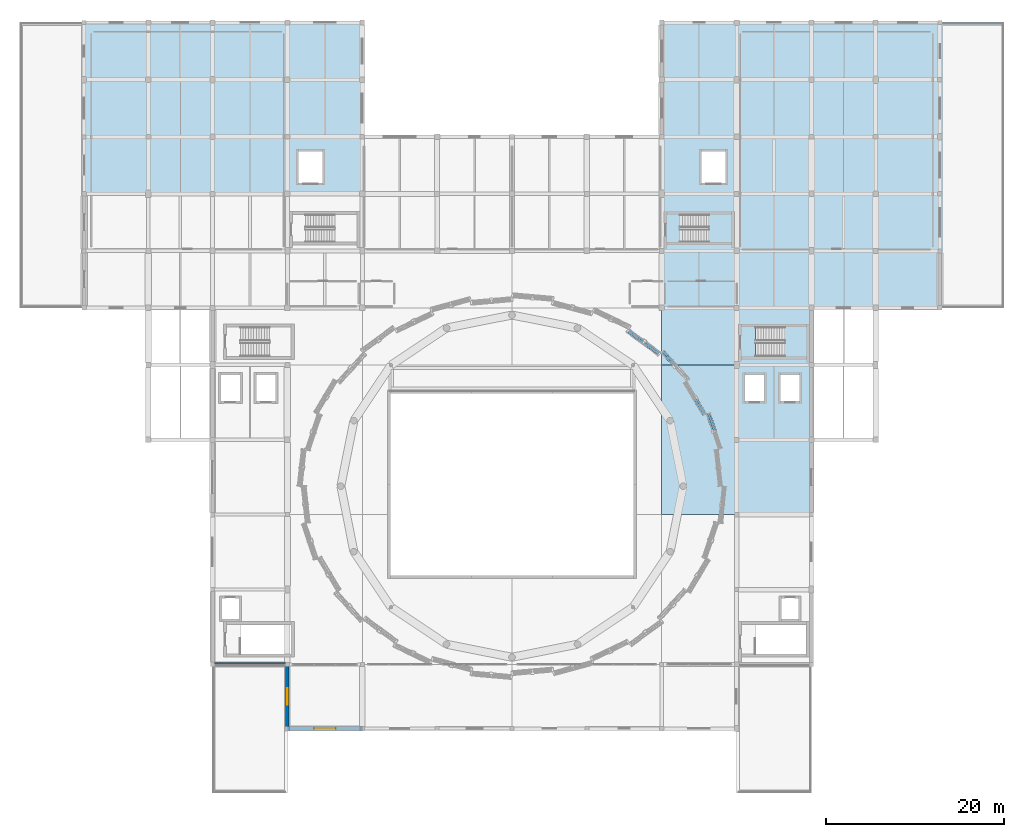
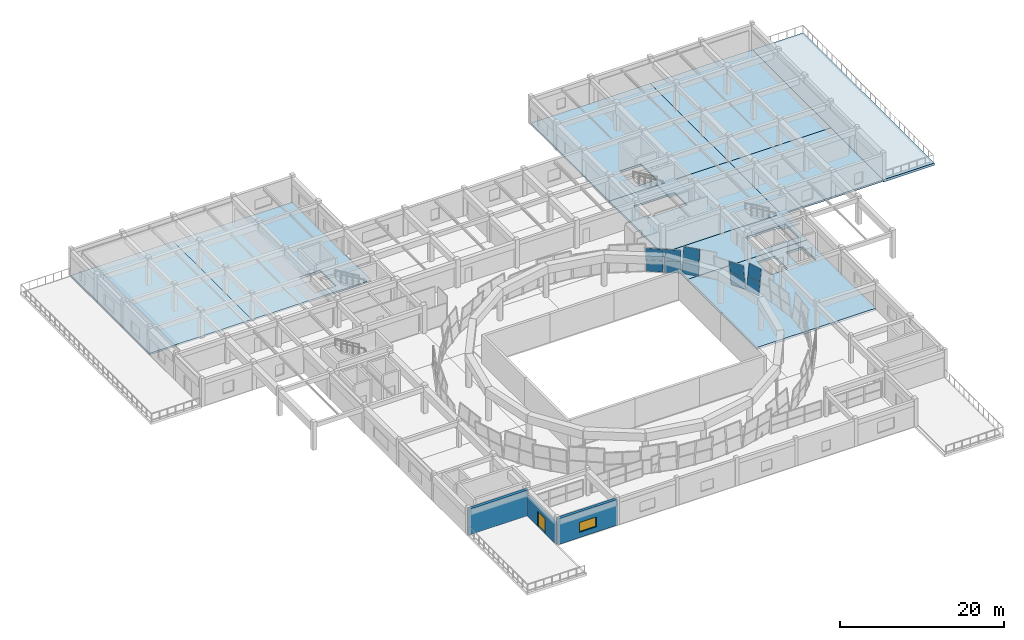
# One storey, part 27 of 40: 11 slabs, 10 plates, 3 walls, 1 door, 1 window, 2 openings, 6 elements without a shape of their own.
"""IFC4 building model written with IfcOpenShell, lengths in metres."""

from ifc_helpers import new_model, si_unit, direction, frame, frame_2d, origin, place, context, subcontext, project, spatial, polyline, rectangle, outline, extrude, material, layer, layer_set, type_object, element, fill, aggregate, save


model = new_model("IFC4")

# Units and contexts
model_context = context("Model", 3, precision=1e-05, world=origin(), true_north=direction((0.0, 1.0)))
body_context = subcontext(model_context, "Body", "Model", "MODEL_VIEW")
ifc_project = project(units=[si_unit("LENGTHUNIT", "METRE"), si_unit("AREAUNIT", "SQUARE_METRE"), si_unit("VOLUMEUNIT", "CUBIC_METRE"), si_unit("PLANEANGLEUNIT", "RADIAN"), si_unit("MASSUNIT", "GRAM", prefix="KILO")], contexts=[model_context])

# Site, building, storey
site_placement = place(None, origin())
site = spatial("IfcSite", under=ifc_project, at=site_placement, CompositionType="ELEMENT")
building_placement = place(site_placement, origin())
building = spatial("IfcBuilding", under=site, at=building_placement, Name="Korsvaeld Concert Hall", CompositionType="ELEMENT")
storey_placement = place(building_placement, frame((0.0, 0.0, 13.199951171875)))
storey = spatial("IfcBuildingStorey", under=building, at=storey_placement, Name="L03", CompositionType="ELEMENT", Elevation=13.199951171875)

# Curtain wall, plates
ifc_material_1 = material(Name="Anodised bronze and ceramic-fritted safety glass", Category="glass")
curtain_wall_type_1 = type_object("IfcCurtainWallType", Name="CW-TYPE-02", PredefinedType="USERDEFINED", material=ifc_material_1)
curtain_wall_1_placement = place(storey_placement, origin())
curtain_wall_1 = element("IfcCurtainWall", 1, at=curtain_wall_1_placement, inside=storey, type_object=curtain_wall_type_1, Name="Crystal curtain-wall facet L03 F02", ObjectType="CURTAIN WALL", PredefinedType="USERDEFINED")
ifc_material_2 = material(Name="Translucent ceramic-fritted crystal safety glass", Category="glass")
ifc_layer_1 = layer(ifc_material_2, 0.035888671875)
ifc_layer_set_1 = layer_set([ifc_layer_1], Name="Translucent ceramic-fritted crystal safety glass")
plate_type = type_object("IfcPlateType", Name="CWP-CRYSTAL-36", PredefinedType="CURTAIN_PANEL", material=ifc_layer_set_1)
plate_1_placement = place(storey_placement, frame((106.4697265625, 69.36181640625, 0.06005859375), z_axis=(0.941366104364, 0.317900359323, -0.113000969451), x_axis=(-0.319949676143, 0.947434538497, 0.0)))
plate_1 = element("IfcPlate", 2, at=plate_1_placement, type_object=plate_type, Name="CW-CRYS-L03-F02 ceramic-fritted crystal panel 2.1", PredefinedType="CURTAIN_PANEL", context=body_context, shape_type="SweptSolid", body=[
    extrude(outline(polyline([(0.0, 0.0), (1.9862437572585203, 0.0), (1.9736826146833244, 1.8620241487311948), (-0.012561142575196048, 1.8620241487311948), (0.0, 0.0)])), frame((0.0, 0.0, 0.01806640625)), (0.0, 0.0, -1.0), 0.035888671875),
])
plate_2_placement = place(storey_placement, frame((106.6796875, 69.4189453125, 1.969970703125), z_axis=(0.941366104364, 0.317900359323, -0.113000969451), x_axis=(-0.319949676143, 0.947434538497, 0.0)))
plate_2 = element("IfcPlate", 3, at=plate_2_placement, type_object=plate_type, Name="CW-CRYS-L03-F02 ceramic-fritted crystal panel 2.2", PredefinedType="CURTAIN_PANEL", context=body_context, shape_type="SweptSolid", body=[
    extrude(outline(polyline([(0.0, 0.0), (1.9862437572585203, 0.0), (1.9736826146833244, 1.8620241487311948), (-0.012561142575196048, 1.8620241487311948), (0.0, 0.0)])), frame((0.0, 0.0, 0.01806640625)), (0.0, 0.0, -1.0), 0.035888671875),
])
aggregate(curtain_wall_1, [plate_1, plate_2])

curtain_wall_type_2 = type_object("IfcCurtainWallType", Name="CW-TYPE-03", PredefinedType="USERDEFINED", material=ifc_material_1)
curtain_wall_2_placement = place(storey_placement, origin())
curtain_wall_2 = element("IfcCurtainWall", 4, at=curtain_wall_2_placement, inside=storey, type_object=curtain_wall_type_2, Name="Crystal curtain-wall facet L03 F03", ObjectType="CURTAIN WALL", PredefinedType="USERDEFINED")
plate_3_placement = place(storey_placement, frame((105.759033203125, 71.37451171875, 0.06005859375), z_axis=(0.853874694268, 0.508121495281, 0.11274108622), x_axis=(-0.511381861684, 0.859353589357, 0.0)))
plate_3 = element("IfcPlate", 5, at=plate_3_placement, type_object=plate_type, Name="CW-CRYS-L03-F03 ceramic-fritted crystal panel 1.1", PredefinedType="CURTAIN_PANEL", context=body_context, shape_type="SweptSolid", body=[
    extrude(outline(polyline([(0.0, 0.0), (2.0199366887482033, 2.7755575615628914e-17), (2.0386029109089057, 1.8619688254406463), (0.018666222160702132, 1.8619688254406463), (0.0, 0.0)])), frame((0.0, 0.0, 0.01806640625)), (0.0, 0.0, -1.0), 0.035888671875),
])
plate_4_placement = place(storey_placement, frame((105.56298828125, 71.2802734375, 1.969970703125), z_axis=(0.853895606904, 0.508073891, 0.112797224229), x_axis=(-0.511337798574, 0.859379808767, 5.820704e-06)))
plate_4 = element("IfcPlate", 6, at=plate_4_placement, type_object=plate_type, Name="CW-CRYS-L03-F03 ceramic-fritted crystal panel 1.2", PredefinedType="CURTAIN_PANEL", context=body_context, shape_type="SweptSolid", body=[
    extrude(outline(polyline([(0.0, 0.0), (2.019936686058763, 0.0), (2.038602913623199, 1.8619688224688642), (0.018791065894165827, 1.8619924876787373), (0.0, 0.0)])), frame((0.0, 0.0, 0.01806640625)), (0.0, 0.0, -1.0), 0.035888671875),
])
aggregate(curtain_wall_2, [plate_3, plate_4])

curtain_wall_type_3 = type_object("IfcCurtainWallType", Name="CW-TYPE-04", PredefinedType="USERDEFINED", material=ifc_material_1)
curtain_wall_3_placement = place(storey_placement, origin())
curtain_wall_3 = element("IfcCurtainWall", 7, at=curtain_wall_3_placement, inside=storey, type_object=curtain_wall_type_3, Name="Crystal curtain-wall facet L03 F04", ObjectType="CURTAIN WALL", PredefinedType="USERDEFINED")
plate_5_placement = place(storey_placement, frame((102.135498046875, 76.6162109375, 0.06005859375), z_axis=(0.733560792883, 0.670245760511, -0.112513037746), x_axis=(-0.674528442877, 0.738248860294, 4.883305e-06)))
plate_5 = element("IfcPlate", 8, at=plate_5_placement, type_object=plate_type, Name="CW-CRYS-L03-F04 ceramic-fritted crystal panel 2.1", PredefinedType="CURTAIN_PANEL", context=body_context, shape_type="SweptSolid", body=[
    extrude(outline(polyline([(0.0, 0.0), (2.063170596625023, -2.7755575615628914e-17), (2.0411729605902855, 1.861910356688308), (-0.02216231583036201, 1.8619306364478048), (0.0, 0.0)])), frame((0.0, 0.0, 0.01806640625)), (0.0, 0.0, -1.0), 0.035888671875),
])
plate_6_placement = place(storey_placement, frame((102.310546875, 76.745361328125, 1.969970703125), z_axis=(0.733586029487, 0.670210028542, -0.112561338758), x_axis=(-0.674496604142, 0.738277949692, 0.0)))
plate_6 = element("IfcPlate", 9, at=plate_6_placement, type_object=plate_type, Name="CW-CRYS-L03-F04 ceramic-fritted crystal panel 2.2", PredefinedType="CURTAIN_PANEL", context=body_context, shape_type="SweptSolid", body=[
    extrude(outline(polyline([(0.0, 0.0), (2.0631705985682665, 0.0), (2.0410082866452655, 1.861930638647585), (-0.02216231192300118, 1.861930638647585), (0.0, 0.0)])), frame((0.0, 0.0, 0.01806640625)), (0.0, 0.0, -1.0), 0.035888671875),
])
aggregate(curtain_wall_3, [plate_5, plate_6])

curtain_wall_type_4 = type_object("IfcCurtainWallType", Name="CW-TYPE-05", PredefinedType="USERDEFINED", material=ifc_material_1)
curtain_wall_4_placement = place(storey_placement, origin())
curtain_wall_4 = element("IfcCurtainWall", 10, at=curtain_wall_4_placement, inside=storey, type_object=curtain_wall_type_4, Name="Crystal curtain-wall facet L03 F05", ObjectType="CURTAIN WALL", PredefinedType="USERDEFINED")
plate_7_placement = place(storey_placement, frame((100.622802734375, 78.230224609375, 0.06005859375), z_axis=(0.589599242948, 0.799800689785, 0.112656954223), x_axis=(-0.804925146945, 0.593376362691, 3.844294e-06)))
plate_7 = element("IfcPlate", 11, at=plate_7_placement, type_object=plate_type, Name="CW-CRYS-L03-F05 ceramic-fritted crystal panel 1.1", PredefinedType="CURTAIN_PANEL", context=body_context, shape_type="SweptSolid", body=[
    extrude(outline(polyline([(0.0, 0.0), (2.1091544694851763, -1.3877787807814457e-17), (2.1311079480460267, 1.8619426988996264), (0.022149993489303757, 1.8619590184550607), (0.0, 0.0)])), frame((0.0, 0.0, 0.01806640625)), (0.0, 0.0, -1.0), 0.035888671875),
])
plate_8_placement = place(storey_placement, frame((100.475830078125, 78.069580078125, 1.969970703125), z_axis=(0.589629269114, 0.799783907169, 0.112618945289), x_axis=(-0.804904507896, 0.593404358906, 0.0)))
plate_8 = element("IfcPlate", 12, at=plate_8_placement, type_object=plate_type, Name="CW-CRYS-L03-F05 ceramic-fritted crystal panel 1.2", PredefinedType="CURTAIN_PANEL", context=body_context, shape_type="SweptSolid", body=[
    extrude(outline(polyline([(0.0, 0.0), (2.1089579558479716, 1.3877787807814457e-17), (2.130897028751609, 1.8619428700867073), (0.0219390729036376, 1.8619428700867073), (0.0, 0.0)])), frame((0.0, 0.0, 0.01806640625)), (0.0, 0.0, -1.0), 0.035888671875),
])
plate_9_placement = place(storey_placement, frame((98.86474609375, 79.526123046875, 0.06005859375), z_axis=(0.589636274188, 0.79979340898, 0.112514741765), x_axis=(-0.804904507896, 0.593404358906, 0.0)))
plate_9 = element("IfcPlate", 13, at=plate_9_placement, type_object=plate_type, Name="CW-CRYS-L03-F05 ceramic-fritted crystal panel 2.1", PredefinedType="CURTAIN_PANEL", context=body_context, shape_type="SweptSolid", body=[
    extrude(outline(polyline([(0.0, 0.0), (2.1089579558479716, 1.3877787807814457e-17), (2.13104190286267, 1.86192074958865), (0.022083947014698666, 1.86192074958865), (0.0, 0.0)])), frame((0.0, 0.0, 0.01806640625)), (0.0, 0.0, -1.0), 0.035888671875),
])
plate_10_placement = place(storey_placement, frame((98.718017578125, 79.365478515625, 1.969970703125), z_axis=(0.589636274188, 0.79979340898, 0.112514741765), x_axis=(-0.804904507896, 0.593404358906, 0.0)))
plate_10 = element("IfcPlate", 14, at=plate_10_placement, type_object=plate_type, Name="CW-CRYS-L03-F05 ceramic-fritted crystal panel 2.2", PredefinedType="CURTAIN_PANEL", context=body_context, shape_type="SweptSolid", body=[
    extrude(outline(polyline([(0.0, 0.0), (2.1089579558479716, 1.3877787807814457e-17), (2.13104190286267, 1.86192074958865), (0.022083947014698666, 1.86192074958865), (0.0, 0.0)])), frame((0.0, 0.0, 0.01806640625)), (0.0, 0.0, -1.0), 0.035888671875),
])
aggregate(curtain_wall_4, [plate_7, plate_8, plate_9, plate_10])

# Slabs
ifc_material_3 = material(Name="Concrete C35/45", Category="concrete")
ifc_layer_2 = layer(ifc_material_3, 0.320068359375)
ifc_layer_set_2 = layer_set([ifc_layer_2], Name="Concrete C35/45")
slab_type_1 = type_object("IfcSlabType", Name="SLB-HALL-320", PredefinedType="FLOOR", material=ifc_layer_set_2)
slab_1_placement = place(storey_placement, frame((0.0, 0.0, -0.320068359375)))
element("IfcSlab", 15, at=slab_1_placement, inside=storey, type_object=slab_type_1, Name="Structural slab L03 V1_L03 4.2", PredefinedType="FLOOR", context=body_context, shape_type="SweptSolid", body=[
    extrude(outline(polyline([(100.800048828125, 60.0), (100.800048828125, 76.800048828125), (117.60009765625, 76.800048828125), (117.60009765625, 60.0), (100.800048828125, 60.0)]), holes=[polyline([(112.39990234375, 75.800048828125), (110.0, 75.800048828125), (110.0, 72.60009765625), (112.39990234375, 72.60009765625), (112.39990234375, 75.800048828125)]), polyline([(116.39990234375, 75.800048828125), (114.0, 75.800048828125), (114.0, 72.60009765625), (116.39990234375, 72.60009765625), (116.39990234375, 75.800048828125)])]), origin(), (0.0, 0.0, 1.0), 0.320068359375),
])
slab_2_placement = place(storey_placement, frame((0.0, 0.0, -0.320068359375)))
element("IfcSlab", 16, at=slab_2_placement, inside=storey, type_object=slab_type_1, Name="Structural slab L03 V1_L03 4.3", PredefinedType="FLOOR", context=body_context, shape_type="SweptSolid", body=[
    extrude(outline(polyline([(100.800048828125, 76.800048828125), (100.800048828125, 83.199951171875), (117.60009765625, 83.199951171875), (117.60009765625, 76.800048828125), (100.800048828125, 76.800048828125)]), holes=[polyline([(117.0048828125, 77.794921875), (117.0048828125, 81.044921875), (111.344970703125, 81.044921875), (111.344970703125, 77.794921875), (117.0048828125, 77.794921875)])]), origin(), (0.0, 0.0, 1.0), 0.320068359375),
])

# Stair, slab
ifc_material_4 = material(Name="Precast concrete C40/50", Category="concrete")
stair_type_1 = type_object("IfcStairType", Name="STR-HT-155-42", PredefinedType="HALF_TURN_STAIR", material=ifc_material_4)
stair_1_placement = place(storey_placement, origin())
stair_1 = element("IfcStair", 17, at=stair_1_placement, inside=storey, type_object=stair_type_1, Name="L03 ST-K2", PredefinedType="HALF_TURN_STAIR")
ifc_layer_3 = layer(ifc_material_4, 0.179931640625)
ifc_layer_set_3 = layer_set([ifc_layer_3], Name="Precast concrete C40/50")
slab_type_2 = type_object("IfcSlabType", Name="SLB-LANDING-180", PredefinedType="LANDING", material=ifc_layer_set_3)
slab_3_placement = place(storey_placement, frame((0.0, 0.0, 1.920166015625)))
slab_3 = element("IfcSlab", 18, at=slab_3_placement, type_object=slab_type_2, Name="ST-K2 landing 1", PredefinedType="LANDING", context=body_context, shape_type="SweptSolid", body=[
    extrude(outline(polyline([(114.56005859375, 77.7099609375), (114.56005859375, 81.1298828125), (117.090087890625, 81.1298828125), (117.090087890625, 77.7099609375), (114.56005859375, 77.7099609375)])), origin(), (0.0, 0.0, 1.0), 0.179931640625),
])
aggregate(stair_1, [slab_3])

stair_type_2 = type_object("IfcStairType", Name="STR-HT-145-42", PredefinedType="HALF_TURN_STAIR", material=ifc_material_4)
stair_2_placement = place(storey_placement, origin())
stair_2 = element("IfcStair", 19, at=stair_2_placement, inside=storey, type_object=stair_type_2, Name="L03 ST-K6", PredefinedType="HALF_TURN_STAIR")
slab_4_placement = place(storey_placement, frame((0.0, 0.0, 1.920166015625)))
slab_4 = element("IfcSlab", 20, at=slab_4_placement, type_object=slab_type_2, Name="ST-K6 landing 1", PredefinedType="LANDING", context=body_context, shape_type="SweptSolid", body=[
    extrude(outline(polyline([(106.06005859375, 90.510009765625), (106.06005859375, 93.72998046875), (108.68994140625, 93.72998046875), (108.68994140625, 90.510009765625), (106.06005859375, 90.510009765625)])), origin(), (0.0, 0.0, 1.0), 0.179931640625),
])
aggregate(stair_2, [slab_4])

# Slabs
ifc_layer_4 = layer(ifc_material_3, 0.360107421875)
ifc_layer_set_4 = layer_set([ifc_layer_4], Name="Concrete C35/45")
slab_type_3 = type_object("IfcSlabType", Name="SLB-TERR-360", PredefinedType="ROOF", material=ifc_layer_set_4)
slab_5_placement = place(storey_placement, frame((0.0, 0.0, -0.35986328125)))
element("IfcSlab", 21, at=slab_5_placement, inside=storey, type_object=slab_type_3, Name="North-East Artists Roof Terrace", PredefinedType="ROOF", context=body_context, shape_type="SweptSolid", body=[
    extrude(outline(polyline([(139.199951171875, 83.199951171875), (139.199951171875, 115.199951171875), (132.0, 115.199951171875), (132.0, 83.199951171875), (139.199951171875, 83.199951171875)])), origin(), (0.0, 0.0, 1.0), 0.35986328125),
])
ifc_layer_5 = layer(ifc_material_3, 0.25)
ifc_layer_set_5 = layer_set([ifc_layer_5], Name="Concrete C35/45")
slab_type_4 = type_object("IfcSlabType", Name="SLB-WING-250", PredefinedType="FLOOR", material=ifc_layer_set_5)
slab_6_placement = place(storey_placement, frame((0.0, 0.0, -0.25)))
element("IfcSlab", 22, at=slab_6_placement, inside=storey, type_object=slab_type_4, Name="Structural slab L03 V5_L03_W 1.2", PredefinedType="FLOOR", context=body_context, shape_type="SweptSolid", body=[
    extrude(outline(polyline([(36.0, 96.0), (36.0, 115.199951171875), (50.39990234375, 115.199951171875), (50.39990234375, 96.0), (36.0, 96.0)])), origin(), (0.0, 0.0, 1.0), 0.25),
])
slab_7_placement = place(storey_placement, frame((0.0, 0.0, -0.25)))
element("IfcSlab", 23, at=slab_7_placement, inside=storey, type_object=slab_type_4, Name="Structural slab L03 V5_L03_W 2.2", PredefinedType="FLOOR", context=body_context, shape_type="SweptSolid", body=[
    extrude(outline(polyline([(50.39990234375, 96.0), (50.39990234375, 115.199951171875), (67.199951171875, 115.199951171875), (67.199951171875, 96.0), (50.39990234375, 96.0)]), holes=[polyline([(62.89990234375, 100.89990234375), (59.89990234375, 100.89990234375), (59.89990234375, 97.10009765625), (62.89990234375, 97.10009765625), (62.89990234375, 100.89990234375)])]), origin(), (0.0, 0.0, 1.0), 0.25),
])
slab_8_placement = place(storey_placement, frame((0.0, 0.0, -0.25)))
element("IfcSlab", 24, at=slab_8_placement, inside=storey, type_object=slab_type_4, Name="Structural slab L03 V5_L03_E 1.1", PredefinedType="FLOOR", context=body_context, shape_type="SweptSolid", body=[
    extrude(outline(polyline([(100.800048828125, 83.199951171875), (100.800048828125, 96.0), (117.60009765625, 96.0), (117.60009765625, 83.199951171875), (100.800048828125, 83.199951171875)]), holes=[polyline([(108.60498046875, 90.594970703125), (108.60498046875, 93.64501953125), (102.844970703125, 93.64501953125), (102.844970703125, 90.594970703125), (108.60498046875, 90.594970703125)])]), origin(), (0.0, 0.0, 1.0), 0.25),
])
slab_9_placement = place(storey_placement, frame((0.0, 0.0, -0.25)))
element("IfcSlab", 25, at=slab_9_placement, inside=storey, type_object=slab_type_4, Name="Structural slab L03 V5_L03_E 1.2", PredefinedType="FLOOR", context=body_context, shape_type="SweptSolid", body=[
    extrude(outline(polyline([(100.800048828125, 96.0), (100.800048828125, 115.199951171875), (117.60009765625, 115.199951171875), (117.60009765625, 96.0), (100.800048828125, 96.0)]), holes=[polyline([(108.10009765625, 100.89990234375), (105.10009765625, 100.89990234375), (105.10009765625, 97.10009765625), (108.10009765625, 97.10009765625), (108.10009765625, 100.89990234375)])]), origin(), (0.0, 0.0, 1.0), 0.25),
])
slab_10_placement = place(storey_placement, frame((0.0, 0.0, -0.25)))
element("IfcSlab", 26, at=slab_10_placement, inside=storey, type_object=slab_type_4, Name="Structural slab L03 V5_L03_E 2.1", PredefinedType="FLOOR", context=body_context, shape_type="SweptSolid", body=[
    extrude(outline(polyline([(117.60009765625, 83.199951171875), (117.60009765625, 96.0), (132.0, 96.0), (132.0, 83.199951171875), (117.60009765625, 83.199951171875)])), origin(), (0.0, 0.0, 1.0), 0.25),
])
slab_11_placement = place(storey_placement, frame((0.0, 0.0, -0.25)))
element("IfcSlab", 27, at=slab_11_placement, inside=storey, type_object=slab_type_4, Name="Structural slab L03 V5_L03_E 2.2", PredefinedType="FLOOR", context=body_context, shape_type="SweptSolid", body=[
    extrude(outline(polyline([(117.60009765625, 96.0), (117.60009765625, 115.199951171875), (132.0, 115.199951171875), (132.0, 96.0), (117.60009765625, 96.0)])), origin(), (0.0, 0.0, 1.0), 0.25),
])

# Wall, opening, door
ifc_material_5 = material(Name="Obernkirchener buff sandstone rainscreen on Concrete C35/45", Category="masonry")
ifc_layer_6 = layer(ifc_material_5, 0.389892578125)
ifc_layer_set_6 = layer_set([ifc_layer_6], Name="Obernkirchener buff sandstone rainscreen on Concrete C35/45")
wall_type_1 = type_object("IfcWallType", Name="WL-EXT-BUFF-390", PredefinedType="STANDARD", material=ifc_layer_set_6)
wall_1_placement = place(storey_placement, frame((58.800048828125, 36.0, 0.0), z_axis=(0.0, 0.0, 1.0), x_axis=(0.0, 1.0, 0.0)))
wall_1 = element("IfcWall", 28, at=wall_1_placement, inside=storey, type_object=wall_type_1, Name="Exterior sandstone wall L03-283", PredefinedType="STANDARD", context=body_context, shape_type="SweptSolid", body=[
    extrude(rectangle(XDim=7.199951171875, YDim=0.389892578125, at=frame_2d((3.60009765625, 0.0))), origin(), (0.0, 0.0, 1.0), 2.89013671875),
])
opening_1_placement = place(wall_1_placement, frame((2.699951171875, 0.0, 0.0)))
opening_1 = element("IfcOpeningElement", 29, at=opening_1_placement, cuts=wall_1, Name="Opening TD-01", PredefinedType="OPENING", context=body_context, shape_type="SweptSolid", body=[
    extrude(rectangle(XDim=1.800048828125, YDim=2.199951171875, at=frame_2d((0.89990234375, 1.10009765625))), frame((0.0, 0.205078125, 0.0), z_axis=(0.0, -1.0, 0.0), x_axis=(1.0, 0.0, 0.0)), (0.0, 0.0, 1.0), 0.409912109375),
])
ifc_material_6 = material(Name="Anodised bronze terrace door")
door_type = type_object("IfcDoorType", Name="DR-TER-180x220", OperationType="DOUBLE_DOOR_SINGLE_SWING", PredefinedType="DOOR", material=ifc_material_6)
door_placement = place(opening_1_placement, frame((1.800048828125, 0.0, 0.0), z_axis=(0.0, 0.0, 1.0), x_axis=(-1.0, 0.0, 0.0)))
door = element("IfcDoor", 30, at=door_placement, inside=storey, type_object=door_type, Name="Roof-garden terrace access door TER_L03_S", OperationType="DOUBLE_DOOR_SINGLE_SWING", OverallHeight=2.199951171875, OverallWidth=1.800048828125, PredefinedType="DOOR", context=body_context, shape_type="SweptSolid", body=[
    extrude(rectangle(XDim=1.800048828125, YDim=2.199951171875, at=frame_2d((0.89990234375, 1.10009765625))), frame((0.0, 0.02490234375, 0.0), z_axis=(0.0, -1.0, 0.0), x_axis=(1.0, 0.0, 0.0)), (0.0, 0.0, 1.0), 0.050048828125),
])
fill(opening_1, door)

# Wall
ifc_material_7 = material(Name="Bornholm Nexo rose-red sandstone rainscreen on Concrete C35/45", Category="masonry")
ifc_layer_7 = layer(ifc_material_7, 0.419921875)
ifc_layer_set_7 = layer_set([ifc_layer_7], Name="Bornholm Nexo rose-red sandstone rainscreen on Concrete C35/45")
wall_type_2 = type_object("IfcWallType", Name="WL-EXT-NEXO-420", PredefinedType="STANDARD", material=ifc_layer_set_7)
wall_2_placement = place(storey_placement, frame((58.800048828125, 43.199951171875, 0.0), z_axis=(0.0, 0.0, 1.0), x_axis=(-1.0, 0.0, 0.0)))
element("IfcWall", 31, at=wall_2_placement, inside=storey, type_object=wall_type_2, Name="Exterior sandstone wall L03-284", PredefinedType="STANDARD", context=body_context, shape_type="SweptSolid", body=[
    extrude(rectangle(XDim=8.400146484375, YDim=0.419921875, at=frame_2d((4.2001953125, 0.0))), origin(), (0.0, 0.0, 1.0), 3.840087890625),
])

# Wall, opening, window
wall_3_placement = place(storey_placement, frame((67.199951171875, 36.0, 0.0), z_axis=(0.0, 0.0, 1.0), x_axis=(-1.0, 0.0, 0.0)))
wall_3 = element("IfcWall", 32, at=wall_3_placement, inside=storey, type_object=wall_type_2, Name="Exterior sandstone wall L03-332", PredefinedType="STANDARD", context=body_context, shape_type="SweptSolid", body=[
    extrude(rectangle(XDim=8.39990234375, YDim=0.419921875, at=frame_2d((4.199951171875, 0.0))), origin(), (0.0, 0.0, 1.0), 3.840087890625),
])
opening_2_placement = place(wall_3_placement, frame((3.0, 0.0, 0.800048828125)))
opening_2 = element("IfcOpeningElement", 33, at=opening_2_placement, cuts=wall_3, Name="Opening WN-10", PredefinedType="OPENING", context=body_context, shape_type="SweptSolid", body=[
    extrude(rectangle(XDim=2.39990234375, YDim=1.449951171875, at=frame_2d((1.199951171875, 0.72509765625))), frame((0.0, 0.219970703125, 0.0), z_axis=(0.0, -1.0, 0.0), x_axis=(1.0, 0.0, 0.0)), (0.0, 0.0, 1.0), 0.43994140625),
])
ifc_material_8 = material(Name="Anodised bronze frame with acoustic triple glazing", Category="glass")
window_type = type_object("IfcWindowType", Name="WIN-AC-240x145", PartitioningType="TRIPLE_PANEL_VERTICAL", PredefinedType="WINDOW", material=ifc_material_8)
window_placement = place(opening_2_placement, origin())
window = element("IfcWindow", 34, at=window_placement, inside=storey, type_object=window_type, Name="Acoustic triple-glazed window L03-221", OverallHeight=1.449951171875, OverallWidth=2.39990234375, PartitioningType="TRIPLE_PANEL_VERTICAL", PredefinedType="WINDOW", context=body_context, shape_type="SweptSolid", body=[
    extrude(rectangle(XDim=2.39990234375, YDim=1.449951171875, at=frame_2d((1.199951171875, 0.72509765625))), frame((0.0, 0.030029296875, 0.0), z_axis=(0.0, -1.0, 0.0), x_axis=(1.0, 0.0, 0.0)), (0.0, 0.0, 1.0), 0.06005859375),
])
fill(opening_2, window)

save(model, "model.ifc")
